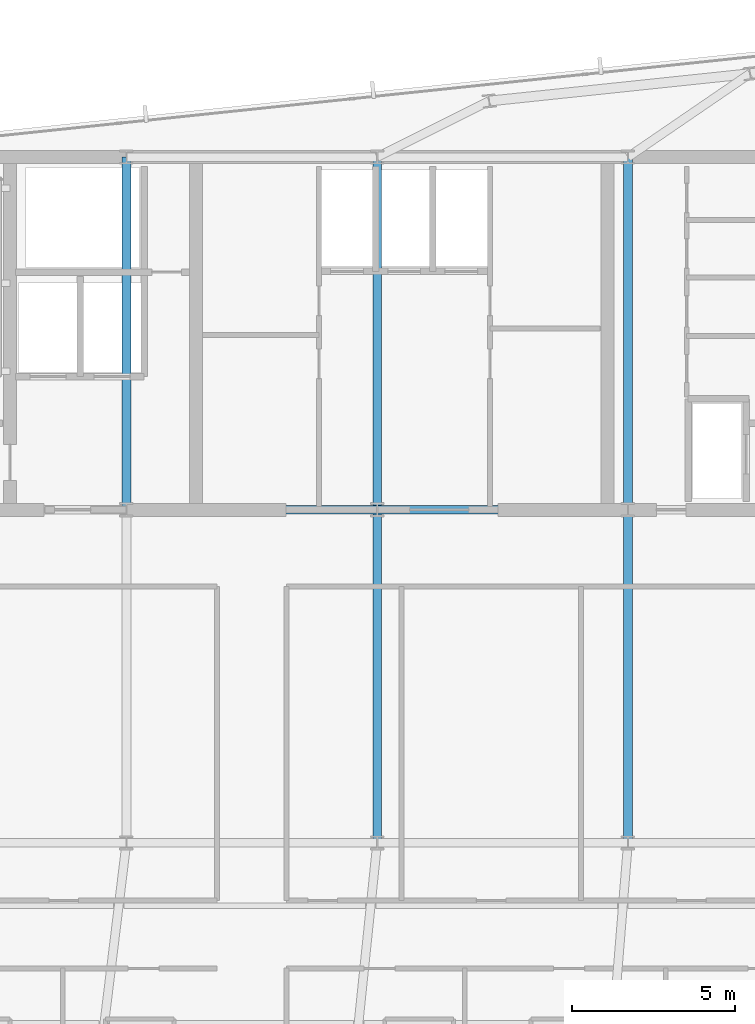
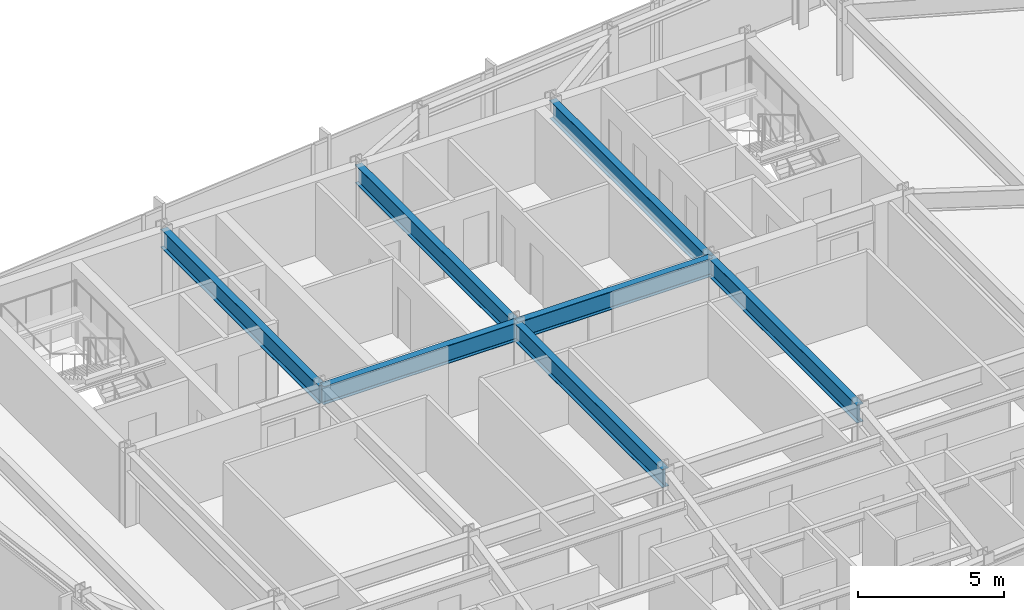
# One storey, part 13 of 33: 7 beams.
"""IFC4 building model written with IfcOpenShell, lengths in metres."""

from ifc_helpers import new_model, si_unit, direction, frame, origin, origin_2d, place, context, subcontext, project, spatial, i_section, extrude, material, material_profile, profile_set, type_object, element, save


model = new_model("IFC4")

# Units and contexts
model_context = context("Model", 3, precision=1e-05, world=origin(), true_north=direction((0.0, 1.0)))
body_context = subcontext(model_context, "Body", "Model", "MODEL_VIEW")
ifc_project = project(units=[si_unit("LENGTHUNIT", "METRE"), si_unit("AREAUNIT", "SQUARE_METRE"), si_unit("VOLUMEUNIT", "CUBIC_METRE"), si_unit("PLANEANGLEUNIT", "RADIAN"), si_unit("MASSUNIT", "GRAM", prefix="KILO")], contexts=[model_context])

# Site, building, storey
site_placement = place(None, origin())
site = spatial("IfcSite", under=ifc_project, at=site_placement, CompositionType="ELEMENT")
building_placement = place(site_placement, origin())
building = spatial("IfcBuilding", under=site, at=building_placement, Name="Yelkora Congress Tower", CompositionType="ELEMENT")
storey_placement = place(building_placement, frame((0.0, 0.0, 234.199951171875)))
storey = spatial("IfcBuildingStorey", under=building, at=storey_placement, Name="L65", CompositionType="ELEMENT", Elevation=234.199951171875)

# Beams
ifc_material = material(Name="Steel S355J2", Category="steel")
ifc_material_profile = material_profile(ifc_material, i_section(OverallWidth=0.26708984375, OverallDepth=0.761962890625, WebThickness=0.014404296875, FlangeThickness=0.021484375, FilletRadius=0.01708984375, at=origin_2d()), Name="IPE 750x173")
ifc_profile_set = profile_set([ifc_material_profile], Name="Steel S355J2")
beam_type = type_object("IfcBeamType", Name="BM-GIRD-IPE750", PredefinedType="BEAM", material=ifc_profile_set)
beam_1_placement = place(storey_placement, frame((30.719970703125, 35.39990234375, 2.698974609375), z_axis=(1.0, 0.0, 0.0), x_axis=(0.0, 1.0, 0.0)))
element("IfcBeam", 1, at=beam_1_placement, inside=storey, type_object=beam_type, Name="L65 Core South Girder 2", PredefinedType="BEAM", context=body_context, shape_type="SweptSolid", body=[
    extrude(i_section(OverallWidth=0.26708984375, OverallDepth=0.761962890625, WebThickness=0.014404296875, FlangeThickness=0.021484375, FilletRadius=0.01708984375, at=origin_2d()), origin(), (0.0, 0.0, 1.0), 7.679931640625),
])
beam_2_placement = place(storey_placement, frame((38.39990234375, 35.39990234375, 2.698974609375), z_axis=(1.0, 0.0, 0.0), x_axis=(0.0, 1.0, 0.0)))
element("IfcBeam", 2, at=beam_2_placement, inside=storey, type_object=beam_type, Name="L65 Core South Girder 3", PredefinedType="BEAM", context=body_context, shape_type="SweptSolid", body=[
    extrude(i_section(OverallWidth=0.26708984375, OverallDepth=0.761962890625, WebThickness=0.014404296875, FlangeThickness=0.021484375, FilletRadius=0.01708984375, at=origin_2d()), origin(), (0.0, 0.0, 1.0), 7.68017578125),
])
beam_3_placement = place(storey_placement, frame((30.719970703125, 35.39990234375, 2.698974609375), z_axis=(0.0, 1.0, 0.0), x_axis=(-1.0, 0.0, 0.0)))
element("IfcBeam", 3, at=beam_3_placement, inside=storey, type_object=beam_type, Name="L65 Core Tie Girder MC-S2", PredefinedType="BEAM", context=body_context, shape_type="SweptSolid", body=[
    extrude(i_section(OverallWidth=0.26708984375, OverallDepth=0.761962890625, WebThickness=0.014404296875, FlangeThickness=0.021484375, FilletRadius=0.01708984375, at=origin_2d()), origin(), (0.0, 0.0, 1.0), 10.800048828125),
])
beam_4_placement = place(storey_placement, frame((38.39990234375, 25.199951171875, 2.698974609375), z_axis=(0.0, 1.0, 0.0), x_axis=(-1.0, 0.0, 0.0)))
element("IfcBeam", 4, at=beam_4_placement, inside=storey, type_object=beam_type, Name="L65 Core Tie Girder MC-D3", PredefinedType="BEAM", context=body_context, shape_type="SweptSolid", body=[
    extrude(i_section(OverallWidth=0.26708984375, OverallDepth=0.761962890625, WebThickness=0.014404296875, FlangeThickness=0.021484375, FilletRadius=0.01708984375, at=origin_2d()), origin(), (0.0, 0.0, 1.0), 10.199951171875),
])
beam_5_placement = place(storey_placement, frame((38.39990234375, 35.39990234375, 2.698974609375), z_axis=(0.0, 1.0, 0.0), x_axis=(-1.0, 0.0, 0.0)))
element("IfcBeam", 5, at=beam_5_placement, inside=storey, type_object=beam_type, Name="L65 Core Tie Girder MC-S3", PredefinedType="BEAM", context=body_context, shape_type="SweptSolid", body=[
    extrude(i_section(OverallWidth=0.26708984375, OverallDepth=0.761962890625, WebThickness=0.014404296875, FlangeThickness=0.021484375, FilletRadius=0.01708984375, at=origin_2d()), origin(), (0.0, 0.0, 1.0), 10.800048828125),
])
beam_6_placement = place(storey_placement, frame((46.080078125, 25.199951171875, 2.698974609375), z_axis=(0.0, 1.0, 0.0), x_axis=(-1.0, 0.0, 0.0)))
element("IfcBeam", 6, at=beam_6_placement, inside=storey, type_object=beam_type, Name="L65 Core Tie Girder MC-D4", PredefinedType="BEAM", context=body_context, shape_type="SweptSolid", body=[
    extrude(i_section(OverallWidth=0.26708984375, OverallDepth=0.761962890625, WebThickness=0.014404296875, FlangeThickness=0.021484375, FilletRadius=0.01708984375, at=origin_2d()), origin(), (0.0, 0.0, 1.0), 10.199951171875),
])
beam_7_placement = place(storey_placement, frame((46.080078125, 35.39990234375, 2.698974609375), z_axis=(0.0, 1.0, 0.0), x_axis=(-1.0, 0.0, 0.0)))
element("IfcBeam", 7, at=beam_7_placement, inside=storey, type_object=beam_type, Name="L65 Core Tie Girder MC-S4", PredefinedType="BEAM", context=body_context, shape_type="SweptSolid", body=[
    extrude(i_section(OverallWidth=0.26708984375, OverallDepth=0.761962890625, WebThickness=0.014404296875, FlangeThickness=0.021484375, FilletRadius=0.01708984375, at=origin_2d()), origin(), (0.0, 0.0, 1.0), 10.800048828125),
])

save(model, "model.ifc")
